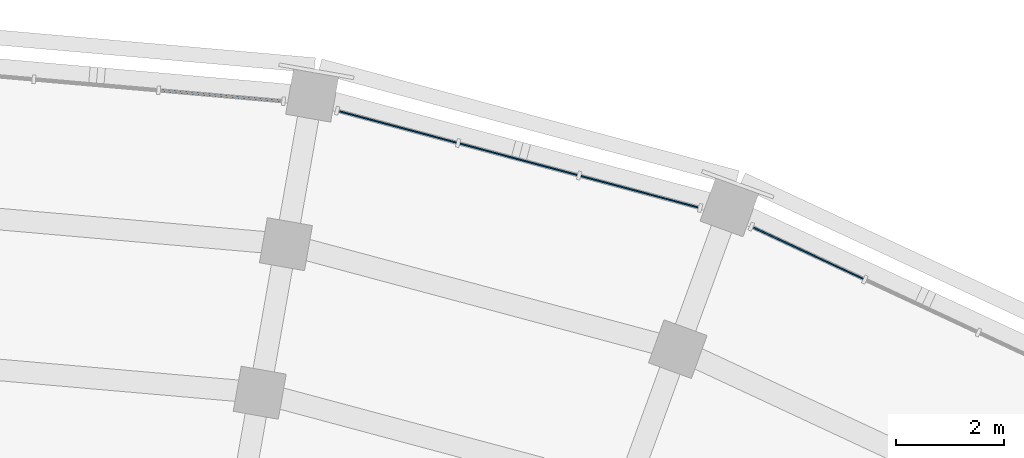
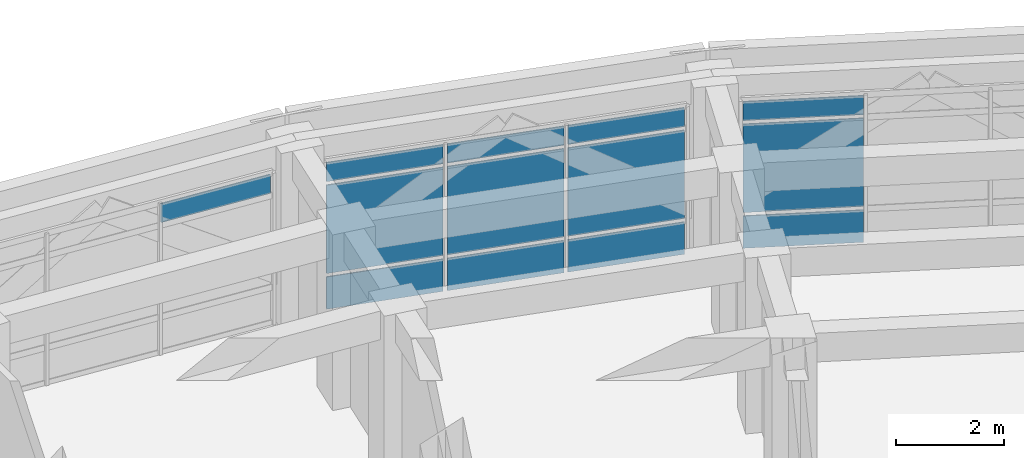
# One storey, part 56 of 97: 13 plates, 3 elements without a shape of their own.
"""IFC4 building model written with IfcOpenShell, lengths in metres."""

import ifcopenshell
import ifcopenshell.guid

model = None  # the IFC model being written
_history = None  # IfcOwnerHistory: only IFC2X3 demands one
_inside = {}  # id of a spatial element -> (the spatial element, [elements in it])
_under = {}  # id of a project, library or spatial element -> (it, [spatial elements below it])
_declared = {}  # id of a project -> (the project, [libraries it declares])
_typed = {}  # id of a type object -> (the type object, [elements of that type])
_made_of = {}  # id of a material, layer set ... -> (it, [elements and type objects made of it])


def new_model(schema):
    """Start an empty IFC model of exactly this schema.

    Asked for "IFC4X3", IfcOpenShell would pick the latest addendum, in which some entities
    have other attributes; the version numbers below select the first issue.
    IFC2X3 requires an IfcOwnerHistory on every rooted entity: one is made here for all.
    """
    global model, _history
    if schema == "IFC4X3":
        model = ifcopenshell.file(schema_version=(4, 3, 0, 0))
    else:
        model = ifcopenshell.file(schema=schema)
    _inside.clear()
    _under.clear()
    _declared.clear()
    _typed.clear()
    _made_of.clear()
    _history = None
    if model.schema == "IFC2X3":
        org = make("IfcOrganization", Name="unknown")
        user = make(
            "IfcPersonAndOrganization",
            ThePerson=make("IfcPerson", FamilyName="unknown"),
            TheOrganization=org,
        )
        app = make(
            "IfcApplication",
            ApplicationDeveloper=org,
            Version="unknown",
            ApplicationFullName="unknown",
            ApplicationIdentifier="unknown",
        )
        _history = make(
            "IfcOwnerHistory",
            OwningUser=user,
            OwningApplication=app,
            ChangeAction="ADDED",
            CreationDate=0,
        )
    return model


def make(cls, **values):
    """One entity of the class cls with the attributes given. An attribute that is None is left unset."""
    return model.create_entity(
        cls, **{name: value for name, value in values.items() if value is not None}
    )


def rooted(cls, **values):
    """An entity with a GlobalId (a new one), such as an element, a storey or a relation."""
    return make(cls, GlobalId=ifcopenshell.guid.new(), OwnerHistory=_history, **values)


def si_unit(unit_type, name, prefix=None):
    """IfcSIUnit, for example si_unit("LENGTHUNIT", "METRE", prefix="MILLI")."""
    return make("IfcSIUnit", UnitType=unit_type, Prefix=prefix, Name=name)


def assignment(units):
    """IfcUnitAssignment: the units of a project."""
    return None if units is None else make("IfcUnitAssignment", Units=units)


def point(xyz):
    """IfcCartesianPoint."""
    return None if xyz is None else make("IfcCartesianPoint", Coordinates=xyz)


def direction(xyz):
    """IfcDirection."""
    return None if xyz is None else make("IfcDirection", DirectionRatios=xyz)


def frame(location, z_axis=None, x_axis=None):
    """IfcAxis2Placement3D, a coordinate frame: its origin and axes. An axis left out is left unset."""
    return make(
        "IfcAxis2Placement3D",
        Location=point(location),
        Axis=direction(z_axis),
        RefDirection=direction(x_axis),
    )


def frame_2d(location, x_axis=None):
    """IfcAxis2Placement2D, a coordinate frame in the plane: its origin and x axis."""
    return make(
        "IfcAxis2Placement2D", Location=point(location), RefDirection=direction(x_axis)
    )


def origin():
    """The frame at (0, 0, 0) with its axes left unset."""
    return frame((0.0, 0.0, 0.0))


def origin_2d():
    """The frame at (0, 0) in the plane with its x axis left unset."""
    return frame_2d((0.0, 0.0))


def place(relative_to, where):
    """IfcLocalPlacement: puts the frame where relative to a parent placement (None: the world)."""
    return make(
        "IfcLocalPlacement", PlacementRelTo=relative_to, RelativePlacement=where
    )


def context(
    kind, dimensions, precision=None, world=None, true_north=None, identifier=None
):
    """IfcGeometricRepresentationContext, for example the 3D "Model" context."""
    return make(
        "IfcGeometricRepresentationContext",
        ContextIdentifier=identifier,
        ContextType=kind,
        CoordinateSpaceDimension=dimensions,
        Precision=precision,
        WorldCoordinateSystem=world,
        TrueNorth=true_north,
    )


def subcontext(parent, identifier, kind, view, scale=None):
    """IfcGeometricRepresentationSubContext, for example "Body" below "Model"."""
    return make(
        "IfcGeometricRepresentationSubContext",
        ContextIdentifier=identifier,
        ContextType=kind,
        ParentContext=parent,
        TargetScale=scale,
        TargetView=view,
    )


def project(units=None, contexts=None):
    """IfcProject with its units and contexts."""
    return rooted(
        "IfcProject",
        Name="project",
        RepresentationContexts=contexts,
        UnitsInContext=assignment(units),
    )


def spatial(cls, under=None, at=None, **own):
    """A site, building, storey or space (cls), placed at a placement, below another one or the project."""
    s = rooted(cls, ObjectPlacement=at, **own)
    if under is not None:
        _under.setdefault(under.id(), (under, []))[1].append(s)
    return s


def profile(cls, at=None, kind="AREA", **sizes):
    """A parametric profile (cls). Its sizes go by their IFC names, for example OverallWidth=200.0."""
    return make(cls, ProfileType=kind, Position=at, **sizes)


def rectangle(**sizes):
    """IfcRectangleProfileDef."""
    return profile("IfcRectangleProfileDef", **sizes)


def extrude(swept, where, along, depth):
    """IfcExtrudedAreaSolid: the profile swept, set in the frame where, extruded along a direction by depth."""
    return make(
        "IfcExtrudedAreaSolid",
        SweptArea=swept,
        Position=where,
        ExtrudedDirection=direction(along),
        Depth=depth,
    )


def shape(context_of_items, identifier, shape_type, items):
    """IfcShapeRepresentation: the items that make up one representation, for example the "Body"."""
    return make(
        "IfcShapeRepresentation",
        ContextOfItems=context_of_items,
        RepresentationIdentifier=identifier,
        RepresentationType=shape_type,
        Items=items,
    )


def material(Name=None, Category=None):
    """IfcMaterial."""
    return make("IfcMaterial", Name=Name, Category=Category)


def layer(
    of_material, thickness, ventilated=None, Name=None, Category=None, Priority=None
):
    """IfcMaterialLayer: one layer of a wall or slab, of a material (None: an air gap)."""
    return make(
        "IfcMaterialLayer",
        Material=of_material,
        LayerThickness=thickness,
        IsVentilated=ventilated,
        Name=Name,
        Category=Category,
        Priority=Priority,
    )


def layer_set(layers, Name=None):
    """IfcMaterialLayerSet."""
    return make("IfcMaterialLayerSet", MaterialLayers=layers, LayerSetName=Name)


def made_of(thing, what):
    """Note that an element or type object is made of a material, layer set ...; save() writes the relation."""
    if what is not None:
        _made_of.setdefault(what.id(), (what, []))[1].append(thing)
    return thing


def type_object(cls, material=None, **own):
    """A type object (cls), such as IfcWallType, which elements share."""
    return made_of(rooted(cls, **own), material)


def element(
    cls,
    number,
    at=None,
    inside=None,
    cuts=None,
    type_object=None,
    material=None,
    context=None,
    identifier="Body",
    shape_type=None,
    held_by="IfcProductDefinitionShape",
    body=None,
    shapes=None,
    **own,
):
    """One element of the class cls, such as IfcWall. Its Tag is "e" and its number.

    at: its placement. inside: the storey or other place that contains it. cuts: it is an
    opening in that element (IfcRelVoidsElement). A single representation is given by context,
    identifier, shape_type and body (its items); several are given by shapes. held_by: the class
    of the entity that holds the representations. save() writes the other relations.
    """
    e = rooted(cls, Tag="e%d" % number, ObjectPlacement=at, **own)
    if body is not None:
        shapes = [shape(context, identifier, shape_type, body)]
    if shapes is not None:
        e.Representation = make(held_by, Representations=shapes)
    if inside is not None:
        _inside.setdefault(inside.id(), (inside, []))[1].append(e)
    if cuts is not None:
        rooted(
            "IfcRelVoidsElement", RelatingBuildingElement=cuts, RelatedOpeningElement=e
        )
    if type_object is not None:
        _typed.setdefault(type_object.id(), (type_object, []))[1].append(e)
    return made_of(e, material)


def aggregate(whole, parts):
    """IfcRelAggregates: a whole, such as a stair, and the parts it consists of."""
    return rooted("IfcRelAggregates", RelatingObject=whole, RelatedObjects=parts)


def save(model, path):
    """Write the relations noted so far, then the file.

    IfcRelAggregates (storeys below a building ...), IfcRelContainedInSpatialStructure (elements
    in a storey), IfcRelDefinesByType, IfcRelAssociatesMaterial and IfcRelDeclares: one each for
    every whole, place, type object, material and project.
    """
    for whole, parts in _under.values():
        aggregate(whole, parts)
    for where, things in _inside.values():
        rooted(
            "IfcRelContainedInSpatialStructure",
            RelatedElements=things,
            RelatingStructure=where,
        )
    for kind, things in _typed.values():
        rooted("IfcRelDefinesByType", RelatedObjects=things, RelatingType=kind)
    for what, things in _made_of.values():
        rooted("IfcRelAssociatesMaterial", RelatedObjects=things, RelatingMaterial=what)
    for by, libraries in _declared.values():
        rooted("IfcRelDeclares", RelatingContext=by, RelatedDefinitions=libraries)
    model.write(path)


model = new_model("IFC4")

# Units and contexts
model_context = context("Model", 3, precision=1e-05, world=origin(), true_north=direction((0.0, 1.0)))
body_context = subcontext(model_context, "Body", "Model", "MODEL_VIEW")
ifc_project = project(units=[si_unit("LENGTHUNIT", "METRE"), si_unit("AREAUNIT", "SQUARE_METRE"), si_unit("VOLUMEUNIT", "CUBIC_METRE"), si_unit("PLANEANGLEUNIT", "RADIAN"), si_unit("MASSUNIT", "GRAM", prefix="KILO")], contexts=[model_context])

# Site, building, storey
site_placement = place(None, origin())
site = spatial("IfcSite", under=ifc_project, at=site_placement, CompositionType="ELEMENT")
building_placement = place(site_placement, origin())
building = spatial("IfcBuilding", under=site, at=building_placement, Name="Kiranvali Square Residences", CompositionType="ELEMENT")
storey_placement = place(building_placement, frame((0.0, 0.0, 4.5)))
storey = spatial("IfcBuildingStorey", under=building, at=storey_placement, Name="L01", CompositionType="ELEMENT", Elevation=4.5)

# Curtain wall, plate
ifc_material_1 = material(Name="Anodised bronze aluminium framing", Category="aluminium")
curtain_wall_type = type_object("IfcCurtainWallType", Name="CW-RET-SHOP", PredefinedType="USERDEFINED", material=ifc_material_1)
curtain_wall_1_placement = place(storey_placement, origin())
curtain_wall_1 = element("IfcCurtainWall", 1, at=curtain_wall_1_placement, inside=storey, type_object=curtain_wall_type, Name="Block B L01 rounded-corner arcade curtain wall 1", ObjectType="CURTAIN WALL", PredefinedType="USERDEFINED")
ifc_material_2 = material(Name="Solar-control low-e double glazing", Category="glass")
ifc_layer_1 = layer(ifc_material_2, 0.028076171875)
ifc_layer_set_1 = layer_set([ifc_layer_1], Name="Solar-control low-e double glazing")
plate_type_1 = type_object("IfcPlateType", Name="PLT-CW-GLZ", PredefinedType="CURTAIN_PANEL", material=ifc_layer_set_1)
plate_1_placement = place(storey_placement, frame((126.091552734375, 133.09912109375, 2.97021484375), z_axis=(0.0, 0.0, 1.0), x_axis=(0.996194698092, -0.087155742748, 0.0)))
plate_1 = element("IfcPlate", 2, at=plate_1_placement, type_object=plate_type_1, Name="CW-B-L01-CRV-00 glazed panel 3.3", PredefinedType="CURTAIN_PANEL", context=body_context, shape_type="SweptSolid", body=[
    extrude(rectangle(XDim=2.239501953125, YDim=0.028076171875, at=origin_2d()), origin(), (0.0, 0.0, 1.0), 0.429931640625),
])
aggregate(curtain_wall_1, [plate_1])

# Curtain wall, plates
curtain_wall_2_placement = place(storey_placement, origin())
curtain_wall_2 = element("IfcCurtainWall", 3, at=curtain_wall_2_placement, inside=storey, type_object=curtain_wall_type, Name="Block B L01 rounded-corner arcade curtain wall 2", ObjectType="CURTAIN WALL", PredefinedType="USERDEFINED")
plate_2_placement = place(storey_placement, frame((129.381103515625, 132.51904296875, 0.889892578125), z_axis=(0.0, 0.0, 1.0), x_axis=(0.965925826289, -0.258819045103, 0.0)))
plate_2 = element("IfcPlate", 4, at=plate_2_placement, type_object=plate_type_1, Name="CW-B-L01-CRV-01 glazed panel 1.2", PredefinedType="CURTAIN_PANEL", context=body_context, shape_type="SweptSolid", body=[
    extrude(rectangle(XDim=2.239501953125, YDim=0.028076171875, at=origin_2d()), origin(), (0.0, 0.0, 1.0), 2.0),
])
plate_3_placement = place(storey_placement, frame((129.381103515625, 132.51904296875, 2.97021484375), z_axis=(0.0, 0.0, 1.0), x_axis=(0.965925826289, -0.258819045103, 0.0)))
plate_3 = element("IfcPlate", 5, at=plate_3_placement, type_object=plate_type_1, Name="CW-B-L01-CRV-01 glazed panel 1.3", PredefinedType="CURTAIN_PANEL", context=body_context, shape_type="SweptSolid", body=[
    extrude(rectangle(XDim=2.239501953125, YDim=0.028076171875, at=origin_2d()), origin(), (0.0, 0.0, 1.0), 0.429931640625),
])
plate_4_placement = place(storey_placement, frame((131.62158203125, 131.918701171875, 0.889892578125), z_axis=(0.0, 0.0, 1.0), x_axis=(0.965925826289, -0.258819045103, 0.0)))
plate_4 = element("IfcPlate", 6, at=plate_4_placement, type_object=plate_type_1, Name="CW-B-L01-CRV-01 glazed panel 2.2", PredefinedType="CURTAIN_PANEL", context=body_context, shape_type="SweptSolid", body=[
    extrude(rectangle(XDim=2.239501953125, YDim=0.028076171875, at=origin_2d()), origin(), (0.0, 0.0, 1.0), 2.0),
])
plate_5_placement = place(storey_placement, frame((131.62158203125, 131.918701171875, 2.97021484375), z_axis=(0.0, 0.0, 1.0), x_axis=(0.965925826289, -0.258819045103, 0.0)))
plate_5 = element("IfcPlate", 7, at=plate_5_placement, type_object=plate_type_1, Name="CW-B-L01-CRV-01 glazed panel 2.3", PredefinedType="CURTAIN_PANEL", context=body_context, shape_type="SweptSolid", body=[
    extrude(rectangle(XDim=2.239501953125, YDim=0.028076171875, at=origin_2d()), origin(), (0.0, 0.0, 1.0), 0.429931640625),
])
plate_6_placement = place(storey_placement, frame((133.862060546875, 131.318359375, 0.889892578125), z_axis=(0.0, 0.0, 1.0), x_axis=(0.965925826289, -0.258819045103, 0.0)))
plate_6 = element("IfcPlate", 8, at=plate_6_placement, type_object=plate_type_1, Name="CW-B-L01-CRV-01 glazed panel 3.2", PredefinedType="CURTAIN_PANEL", context=body_context, shape_type="SweptSolid", body=[
    extrude(rectangle(XDim=2.239501953125, YDim=0.028076171875, at=origin_2d()), origin(), (0.0, 0.0, 1.0), 2.0),
])
plate_7_placement = place(storey_placement, frame((133.862060546875, 131.318359375, 2.97021484375), z_axis=(0.0, 0.0, 1.0), x_axis=(0.965925826289, -0.258819045103, 0.0)))
plate_7 = element("IfcPlate", 9, at=plate_7_placement, type_object=plate_type_1, Name="CW-B-L01-CRV-01 glazed panel 3.3", PredefinedType="CURTAIN_PANEL", context=body_context, shape_type="SweptSolid", body=[
    extrude(rectangle(XDim=2.239501953125, YDim=0.028076171875, at=origin_2d()), origin(), (0.0, 0.0, 1.0), 0.429931640625),
])

curtain_wall_3_placement = place(storey_placement, origin())
curtain_wall_3 = element("IfcCurtainWall", 10, at=curtain_wall_3_placement, inside=storey, type_object=curtain_wall_type, Name="Block B L01 rounded-corner arcade curtain wall 3", ObjectType="CURTAIN WALL", PredefinedType="USERDEFINED")
plate_8_placement = place(storey_placement, frame((137.0009765625, 130.17578125, 0.889892578125), z_axis=(0.0, 0.0, 1.0), x_axis=(0.906307787037, -0.422618261741, 0.0)))
plate_8 = element("IfcPlate", 11, at=plate_8_placement, type_object=plate_type_1, Name="CW-B-L01-CRV-02 glazed panel 1.2", PredefinedType="CURTAIN_PANEL", context=body_context, shape_type="SweptSolid", body=[
    extrude(rectangle(XDim=2.239501953125, YDim=0.028076171875, at=origin_2d()), origin(), (0.0, 0.0, 1.0), 2.0),
])
plate_9_placement = place(storey_placement, frame((137.0009765625, 130.17578125, 2.97021484375), z_axis=(0.0, 0.0, 1.0), x_axis=(0.906307787037, -0.422618261741, 0.0)))
plate_9 = element("IfcPlate", 12, at=plate_9_placement, type_object=plate_type_1, Name="CW-B-L01-CRV-02 glazed panel 1.3", PredefinedType="CURTAIN_PANEL", context=body_context, shape_type="SweptSolid", body=[
    extrude(rectangle(XDim=2.239501953125, YDim=0.028076171875, at=origin_2d()), origin(), (0.0, 0.0, 1.0), 0.429931640625),
])

# Plate
ifc_material_3 = material(Name="Honed Porbandar limestone ashlar facade cladding", Category="masonry")
ifc_layer_2 = layer(ifc_material_3, 0.02392578125)
ifc_layer_set_2 = layer_set([ifc_layer_2], Name="Honed Porbandar limestone ashlar facade cladding")
plate_type_2 = type_object("IfcPlateType", Name="PLT-CW-SPN", PredefinedType="SHEET", material=ifc_layer_set_2)
plate_10_placement = place(storey_placement, frame((129.381103515625, 132.51904296875, 0.080078125), z_axis=(0.0, 0.0, 1.0), x_axis=(0.965925826289, -0.258819045103, 0.0)))
plate_10 = element("IfcPlate", 13, at=plate_10_placement, type_object=plate_type_2, Name="CW-B-L01-CRV-01 spandrel panel 1.1", PredefinedType="SHEET", context=body_context, shape_type="SweptSolid", body=[
    extrude(rectangle(XDim=2.239501953125, YDim=0.02392578125, at=origin_2d()), origin(), (0.0, 0.0, 1.0), 0.72998046875),
])

plate_11_placement = place(storey_placement, frame((131.62158203125, 131.918701171875, 0.080078125), z_axis=(0.0, 0.0, 1.0), x_axis=(0.965925826289, -0.258819045103, 0.0)))
plate_11 = element("IfcPlate", 14, at=plate_11_placement, type_object=plate_type_2, Name="CW-B-L01-CRV-01 spandrel panel 2.1", PredefinedType="SHEET", context=body_context, shape_type="SweptSolid", body=[
    extrude(rectangle(XDim=2.239501953125, YDim=0.02392578125, at=origin_2d()), origin(), (0.0, 0.0, 1.0), 0.72998046875),
])

plate_12_placement = place(storey_placement, frame((133.862060546875, 131.318359375, 0.080078125), z_axis=(0.0, 0.0, 1.0), x_axis=(0.965925826289, -0.258819045103, 0.0)))
plate_12 = element("IfcPlate", 15, at=plate_12_placement, type_object=plate_type_2, Name="CW-B-L01-CRV-01 spandrel panel 3.1", PredefinedType="SHEET", context=body_context, shape_type="SweptSolid", body=[
    extrude(rectangle(XDim=2.239501953125, YDim=0.02392578125, at=origin_2d()), origin(), (0.0, 0.0, 1.0), 0.72998046875),
])

aggregate(curtain_wall_2, [plate_10, plate_2, plate_3, plate_11, plate_4, plate_5, plate_12, plate_6, plate_7])

plate_13_placement = place(storey_placement, frame((137.0009765625, 130.17578125, 0.080078125), z_axis=(0.0, 0.0, 1.0), x_axis=(0.906307787037, -0.422618261741, 0.0)))
plate_13 = element("IfcPlate", 16, at=plate_13_placement, type_object=plate_type_2, Name="CW-B-L01-CRV-02 spandrel panel 1.1", PredefinedType="SHEET", context=body_context, shape_type="SweptSolid", body=[
    extrude(rectangle(XDim=2.239501953125, YDim=0.02392578125, at=origin_2d()), origin(), (0.0, 0.0, 1.0), 0.72998046875),
])

aggregate(curtain_wall_3, [plate_13, plate_8, plate_9])

save(model, "model.ifc")
